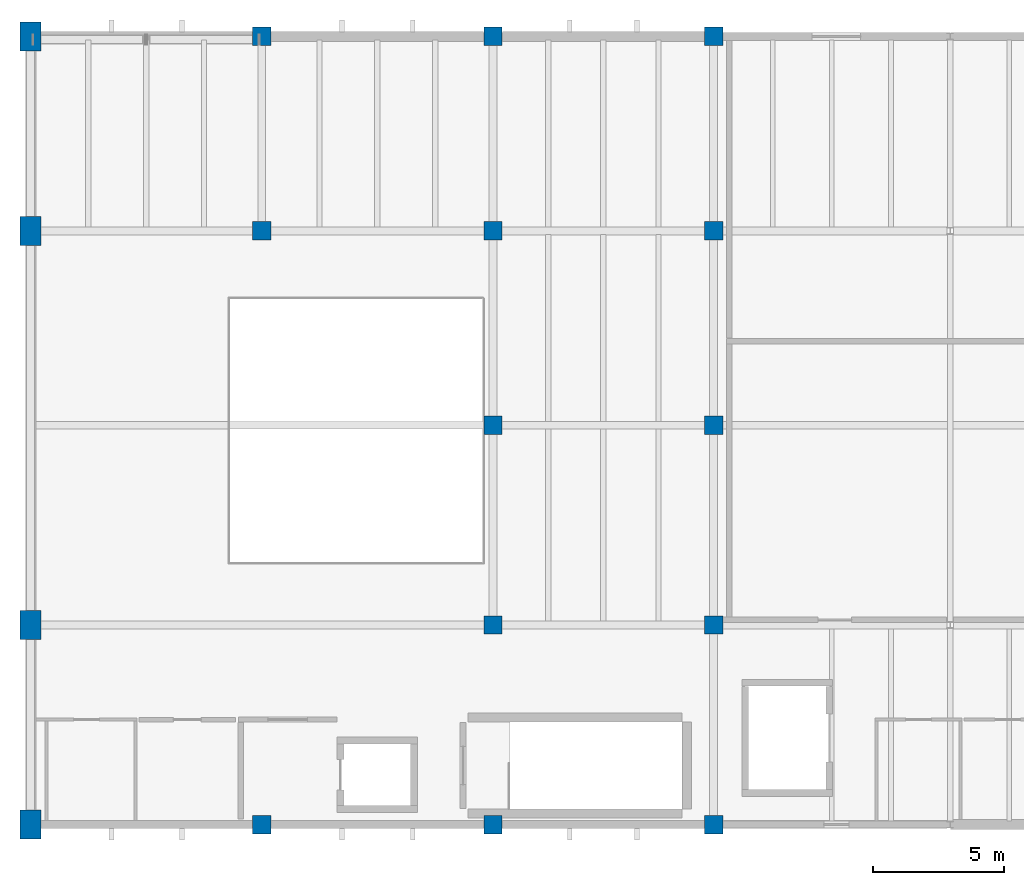
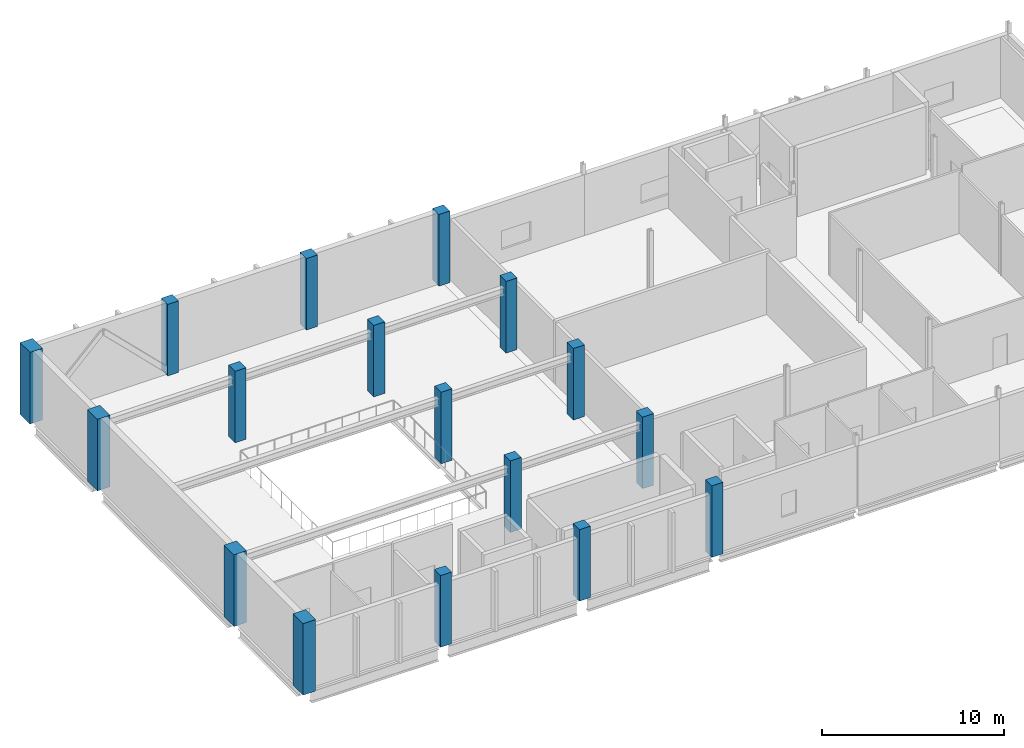
# One storey, part 1 of 14: 17 columns.
"""IFC4 building model written with IfcOpenShell, lengths in metres."""

from ifc_helpers import new_model, si_unit, direction, frame, origin, origin_2d, place, context, subcontext, project, spatial, rectangle, extrude, material, material_profile, profile_set, type_object, element, save


model = new_model("IFC4")

# Units and contexts
model_context = context("Model", 3, precision=1e-05, world=origin(), true_north=direction((0.0, 1.0)))
body_context = subcontext(model_context, "Body", "Model", "MODEL_VIEW")
ifc_project = project(units=[si_unit("LENGTHUNIT", "METRE"), si_unit("AREAUNIT", "SQUARE_METRE"), si_unit("VOLUMEUNIT", "CUBIC_METRE"), si_unit("PLANEANGLEUNIT", "RADIAN"), si_unit("MASSUNIT", "GRAM", prefix="KILO")], contexts=[model_context])

# Site, building, storey
site_placement = place(None, origin())
site = spatial("IfcSite", under=ifc_project, at=site_placement, CompositionType="ELEMENT")
building_placement = place(site_placement, origin())
building = spatial("IfcBuilding", under=site, at=building_placement, Name="Shengluoqiao Park Theatre", CompositionType="ELEMENT")
storey_placement = place(building_placement, frame((0.0, 0.0, 23.800048828125)))
storey = spatial("IfcBuildingStorey", under=building, at=storey_placement, Name="L05", CompositionType="ELEMENT", Elevation=23.800048828125)

# Columns
ifc_material = material(Name="Concrete C50", Category="concrete")
ifc_material_profile_1 = material_profile(ifc_material, rectangle(XDim=0.699951171875, YDim=0.699951171875, at=origin_2d()), Name="RC 700x700")
ifc_profile_set_1 = profile_set([ifc_material_profile_1], Name="Concrete C50")
column_type_1 = type_object("IfcColumnType", Name="STR-COL-C-RC700", PredefinedType="COLUMN", material=ifc_profile_set_1)
for number, where, z_axis, x_axis, name in (
    (1, (95.199951171875, 84.0, 0.0), (0.0, 0.0, 1.0), (1.0, 0.0, 0.0), "L05 Column 0474"),
    (2, (95.199951171875, 106.60009765625, 0.0), (0.0, 0.0, 1.0), (1.0, 0.0, 0.0), "L05 Column 0483"),
    (3, (95.199951171875, 114.0, 0.0), (0.0, 0.0, 1.0), (1.0, 0.0, 0.0), "L05 Column 0490"),
    (4, (104.0, 84.0, 0.0), (0.0, 0.0, 1.0), (1.0, 0.0, 0.0), "L05 Column 0508"),
    (5, (104.0, 91.60009765625, 0.0), (0.0, 0.0, 1.0), (1.0, 0.0, 0.0), "L05 Column 0515"),
    (6, (104.0, 99.199951171875, 0.0), (0.0, 0.0, 1.0), (1.0, 0.0, 0.0), "L05 Column 0522"),
    (7, (104.0, 106.60009765625, 0.0), (0.0, 0.0, 1.0), (1.0, 0.0, 0.0), "L05 Column 0529"),
    (8, (104.0, 114.0, 0.0), (0.0, 0.0, 1.0), (1.0, 0.0, 0.0), "L05 Column 0536"),
    (9, (112.39990234375, 84.0, 0.0), (0.0, 0.0, 1.0), (1.0, 0.0, 0.0), "L05 Column 0554"),
    (10, (112.39990234375, 91.60009765625, 0.0), (0.0, 0.0, 1.0), (1.0, 0.0, 0.0), "L05 Column 0561"),
    (11, (112.39990234375, 99.199951171875, 0.0), (0.0, 0.0, 1.0), (1.0, 0.0, 0.0), "L05 Column 0568"),
    (12, (112.39990234375, 106.60009765625, 0.0), (0.0, 0.0, 1.0), (1.0, 0.0, 0.0), "L05 Column 0575"),
    (13, (112.39990234375, 114.0, 0.0), (0.0, 0.0, 1.0), (1.0, 0.0, 0.0), "L05 Column 0582"),
):
    element("IfcColumn", number, at=place(storey_placement, frame(where, z_axis=z_axis, x_axis=x_axis)), inside=storey, type_object=column_type_1, Name=name, PredefinedType="COLUMN", context=body_context, shape_type="SweptSolid", body=[
        extrude(rectangle(XDim=0.699951171875, YDim=0.699951171875, at=origin_2d()), origin(), (0.0, 0.0, 1.0), 4.800048828125),
    ])
ifc_material_profile_2 = material_profile(ifc_material, rectangle(XDim=0.800048828125, YDim=1.10009765625, at=origin_2d()), Name="RC 800x1100")
ifc_profile_set_2 = profile_set([ifc_material_profile_2], Name="Concrete C50")
column_type_2 = type_object("IfcColumnType", Name="STR-COL-C-RC8011", PredefinedType="COLUMN", material=ifc_profile_set_2)
for number, where, z_axis, x_axis, name in (
    (14, (86.39990234375, 84.0, 0.0), (0.0, 0.0, 1.0), (1.0, 0.0, 0.0), "L05 Column 0434"),
    (15, (86.39990234375, 91.60009765625, 0.0), (0.0, 0.0, 1.0), (1.0, 0.0, 0.0), "L05 Column 0441"),
    (16, (86.39990234375, 106.60009765625, 0.0), (0.0, 0.0, 1.0), (1.0, 0.0, 0.0), "L05 Column 0449"),
    (17, (86.39990234375, 114.0, 0.0), (0.0, 0.0, 1.0), (1.0, 0.0, 0.0), "L05 Column 0456"),
):
    element("IfcColumn", number, at=place(storey_placement, frame(where, z_axis=z_axis, x_axis=x_axis)), inside=storey, type_object=column_type_2, Name=name, PredefinedType="COLUMN", context=body_context, shape_type="SweptSolid", body=[
        extrude(rectangle(XDim=0.800048828125, YDim=1.10009765625, at=origin_2d()), origin(), (0.0, 0.0, 1.0), 4.800048828125),
    ])

save(model, "model.ifc")
